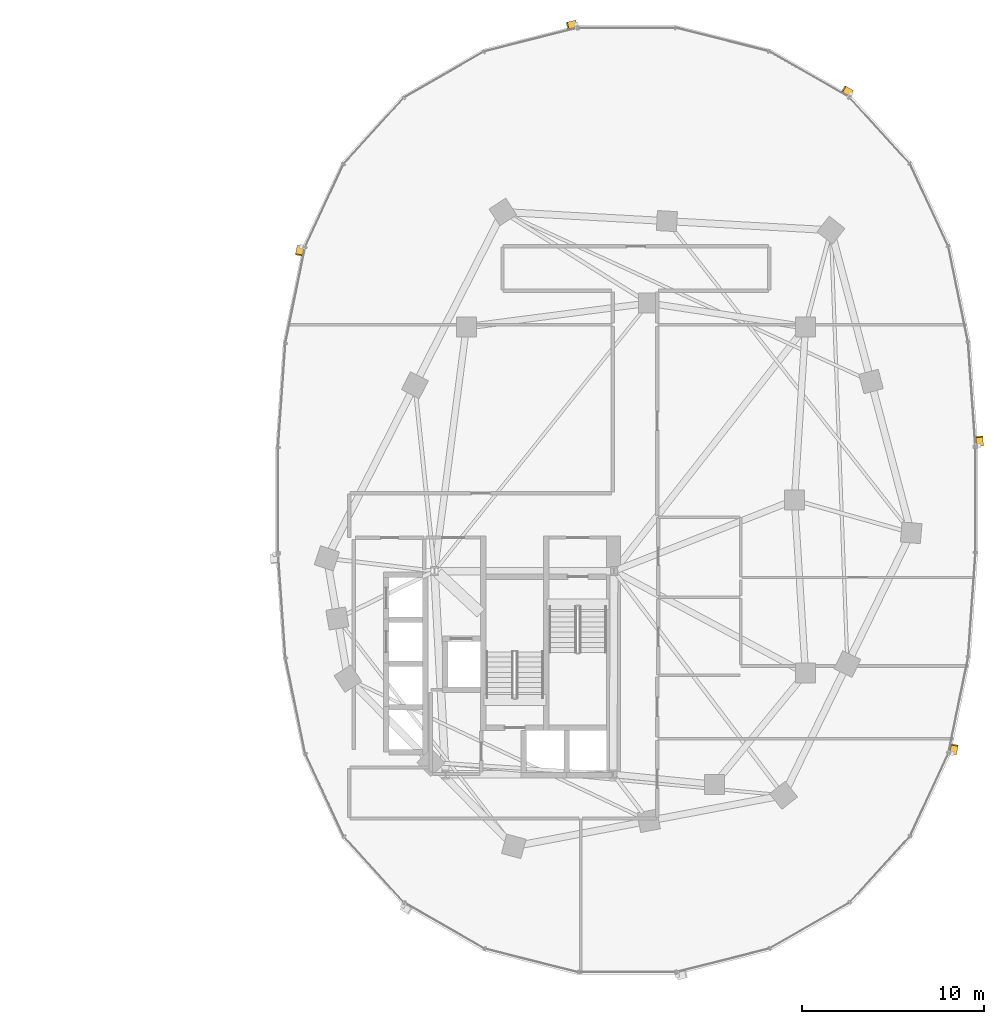
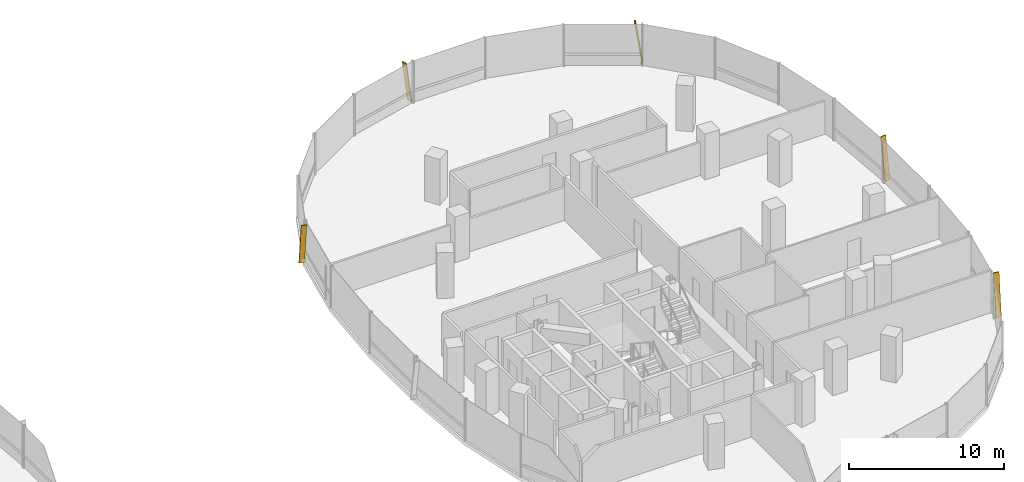
# One storey, part 21 of 21: 5 shading devices.
"""IFC4 building model written with IfcOpenShell, lengths in metres."""

from ifc_helpers import new_model, si_unit, direction, frame, origin, origin_2d, place, context, subcontext, project, spatial, rectangle, extrude, material, material_profile, profile_set, type_object, element, save


model = new_model("IFC4")

# Units and contexts
model_context = context("Model", 3, precision=1e-05, world=origin(), true_north=direction((0.0, 1.0)))
body_context = subcontext(model_context, "Body", "Model", "MODEL_VIEW")
ifc_project = project(units=[si_unit("LENGTHUNIT", "METRE"), si_unit("AREAUNIT", "SQUARE_METRE"), si_unit("VOLUMEUNIT", "CUBIC_METRE"), si_unit("PLANEANGLEUNIT", "RADIAN"), si_unit("MASSUNIT", "GRAM", prefix="KILO"), si_unit("THERMODYNAMICTEMPERATUREUNIT", "KELVIN"), si_unit("POWERUNIT", "WATT")], contexts=[model_context])

# Site, building, storey
site_placement = place(None, origin())
site = spatial("IfcSite", under=ifc_project, at=site_placement, CompositionType="ELEMENT")
building_placement = place(site_placement, origin())
building = spatial("IfcBuilding", under=site, at=building_placement, Name="Cundina Bronze Exchange", CompositionType="ELEMENT")
storey_placement = place(building_placement, frame((0.0, 0.0, 96.199951171875)))
storey = spatial("IfcBuildingStorey", under=building, at=storey_placement, Name="L24", CompositionType="ELEMENT", Elevation=96.199951171875)

# Shading devices
ifc_material = material(Name="Anodised Bronze Aluminium 6063-T6", Category="aluminium")
ifc_material_profile = material_profile(ifc_material, rectangle(XDim=0.070068359375, YDim=0.3798828125, at=origin_2d()), Name="FIN70X380", Category="aluminium")
ifc_profile_set = profile_set([ifc_material_profile], Name="Anodised Bronze Aluminium 6063-T6")
shading_device_type = type_object("IfcShadingDeviceType", Name="SHD-FIN-BRZ380", PredefinedType="USERDEFINED", material=ifc_profile_set)
for number, where, z_axis, x_axis, name in (
    (1, (51.3740234375, 2.993896484375, 0.02001953125), (-0.010224545828, 0.145292278041, 0.989335945271), (0.069450050635, -0.986895284755, 0.145651595925), "L24 Diagonal Bronze Solar Fin 1"),
    (2, (44.314208984375, 22.314208984375, 0.02001953125), (-0.126324692219, 0.072534823274, 0.989333498649), (0.857958278167, -0.492634108109, 0.145668213594), "L24 Diagonal Bronze Solar Fin 5"),
    (3, (29.212646484375, 26.138427734375, 0.02001953125), (-0.141217047268, -0.035711761166, 0.989334329575), (0.95914051701, 0.242552848478, 0.145662570088), "L24 Diagonal Bronze Solar Fin 1"),
    (4, (14.10400390625, 13.911865234375, 0.02001953125), (-0.029413888538, -0.142698109128, 0.989329102378), (0.199728220342, 0.968958570224, 0.145698068578), "L24 Diagonal Bronze Solar Fin 5"),
    (5, (49.89599609375, -13.911865234375, 0.02001953125), (0.029413888538, 0.142698109128, 0.989329102378), (-0.199728220342, -0.968958570224, 0.145698068578), "L24 Diagonal Bronze Solar Fin 5"),
):
    element("IfcShadingDevice", number, at=place(storey_placement, frame(where, z_axis=z_axis, x_axis=x_axis)), inside=storey, type_object=shading_device_type, Name=name, ObjectType="FIN", PredefinedType="USERDEFINED", context=body_context, shape_type="SweptSolid", body=[
        extrude(rectangle(XDim=0.070068359375, YDim=0.3798828125, at=origin_2d()), origin(), (0.0, 0.0, 1.0), 3.295166015625),
    ])

save(model, "model.ifc")
